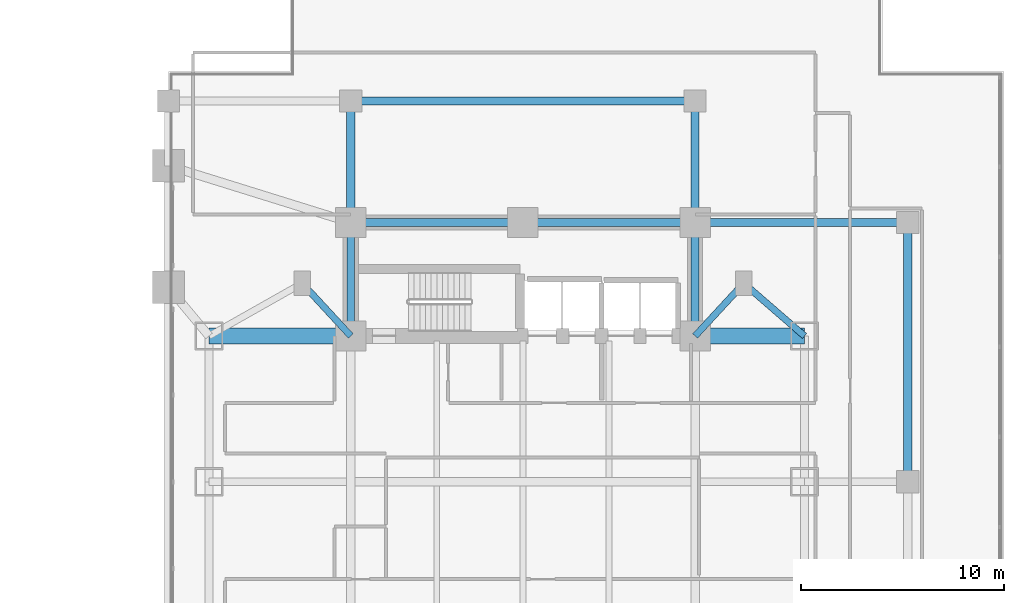
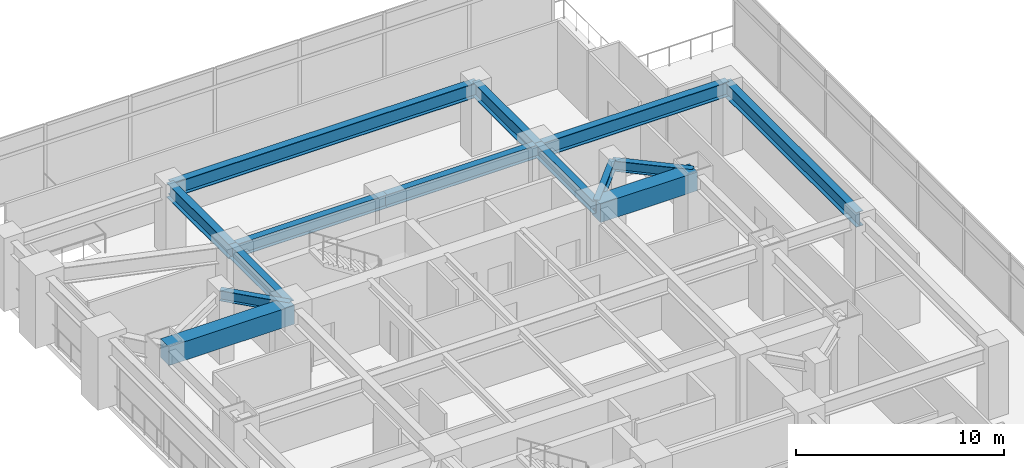
# One storey, part 12 of 31: 14 beams.
"""IFC4 building model written with IfcOpenShell, lengths in metres."""

from ifc_helpers import new_model, si_unit, direction, frame, origin, origin_2d, place, context, subcontext, project, spatial, rectangle, i_section, extrude, material, material_profile, profile_set, type_object, element, save


model = new_model("IFC4")

# Units and contexts
model_context = context("Model", 3, precision=1e-05, world=origin(), true_north=direction((0.0, 1.0)))
body_context = subcontext(model_context, "Body", "Model", "MODEL_VIEW")
ifc_project = project(units=[si_unit("LENGTHUNIT", "METRE"), si_unit("AREAUNIT", "SQUARE_METRE"), si_unit("VOLUMEUNIT", "CUBIC_METRE"), si_unit("PLANEANGLEUNIT", "RADIAN"), si_unit("MASSUNIT", "GRAM", prefix="KILO")], contexts=[model_context])

# Site, building, storey
site_placement = place(None, origin())
site = spatial("IfcSite", under=ifc_project, at=site_placement, CompositionType="ELEMENT")
building_placement = place(site_placement, origin())
building = spatial("IfcBuilding", under=site, at=building_placement, Name="Mirazonda Arch Towers", CompositionType="ELEMENT")
storey_placement = place(building_placement, frame((0.0, 0.0, 5.199951171875)))
storey = spatial("IfcBuildingStorey", under=building, at=storey_placement, Name="L01", CompositionType="ELEMENT", Elevation=5.199951171875)

# Beams
ifc_material_1 = material(Name="Steel ASTM A992 Grade 50", Category="steel")
ifc_material_profile_1 = material_profile(ifc_material_1, i_section(OverallWidth=0.39990234375, OverallDepth=0.85595703125, WebThickness=0.018310546875, FlangeThickness=0.029296875, at=origin_2d()), Name="W33X201")
ifc_profile_set_1 = profile_set([ifc_material_profile_1], Name="Steel ASTM A992 Grade 50")
beam_type_1 = type_object("IfcBeamType", Name="BM-EXT-W33X201", PredefinedType="USERDEFINED", material=ifc_profile_set_1)
beam_1_placement = place(storey_placement, frame((68.0, 46.800048828125, 3.552001953125), z_axis=(1.0, 0.0, 0.0), x_axis=(0.0, 1.0, 0.0)))
element("IfcBeam", 1, at=beam_1_placement, inside=storey, type_object=beam_type_1, Name="L01 Floor Beam BM-POD-L01-PN-5", ObjectType="GIRDER", PredefinedType="USERDEFINED", context=body_context, shape_type="SweptSolid", body=[
    extrude(i_section(OverallWidth=0.39990234375, OverallDepth=0.85595703125, WebThickness=0.018310546875, FlangeThickness=0.029296875, at=origin_2d()), origin(), (0.0, 0.0, 1.0), 17.0),
])
beam_2_placement = place(storey_placement, frame((95.5, 28.0, 3.552001953125), z_axis=(0.0, 1.0, 0.0), x_axis=(-1.0, 0.0, 0.0)))
element("IfcBeam", 2, at=beam_2_placement, inside=storey, type_object=beam_type_1, Name="L01 Floor Beam BM-POD-L01-PE-2", ObjectType="GIRDER", PredefinedType="USERDEFINED", context=body_context, shape_type="SweptSolid", body=[
    extrude(i_section(OverallWidth=0.39990234375, OverallDepth=0.85595703125, WebThickness=0.018310546875, FlangeThickness=0.029296875, at=origin_2d()), origin(), (0.0, 0.0, 1.0), 12.800048828125),
])
ifc_material_profile_2 = material_profile(ifc_material_1, i_section(OverallWidth=0.324951171875, OverallDepth=0.615966796875, WebThickness=0.013916015625, FlangeThickness=0.021484375, at=origin_2d()), Name="W24X117")
ifc_profile_set_2 = profile_set([ifc_material_profile_2], Name="Steel ASTM A992 Grade 50")
beam_type_2 = type_object("IfcBeamType", Name="BM-INT-W24X117", PredefinedType="BEAM", material=ifc_profile_set_2)
for number, where, z_axis, x_axis, name in (
    (3, (65.60009765625, 37.800048828125, 3.672119140625), (0.678251444854, -0.734829897019, 0.0), (0.734829897019, 0.678251444854, 0.0), "L01 Floor Beam BM-T2-L01-PL-NW1"),
    (4, (87.39990234375, 37.800048828125, 3.672119140625), (-0.678251444854, -0.734829897019, 0.0), (0.734829897019, -0.678251444854, 0.0), "L01 Floor Beam BM-T2-L01-PL-NE1"),
):
    element("IfcBeam", number, at=place(storey_placement, frame(where, z_axis=z_axis, x_axis=x_axis)), inside=storey, type_object=beam_type_2, Name=name, PredefinedType="BEAM", context=body_context, shape_type="SweptSolid", body=[
        extrude(i_section(OverallWidth=0.324951171875, OverallDepth=0.615966796875, WebThickness=0.013916015625, FlangeThickness=0.021484375, at=origin_2d()), origin(), (0.0, 0.0, 1.0), 3.538330078125),
    ])
beam_3_placement = place(storey_placement, frame((87.39990234375, 37.800048828125, 3.672119140625), z_axis=(0.755676908098, -0.654944585876, 0.0), x_axis=(0.654944585876, 0.755676908098, 0.0)))
element("IfcBeam", 5, at=beam_3_placement, inside=storey, type_object=beam_type_2, Name="L01 Floor Beam BM-T2-L01-PL-NE2", PredefinedType="BEAM", context=body_context, shape_type="SweptSolid", body=[
    extrude(i_section(OverallWidth=0.324951171875, OverallDepth=0.615966796875, WebThickness=0.013916015625, FlangeThickness=0.021484375, at=origin_2d()), origin(), (0.0, 0.0, 1.0), 3.969970703125),
])
ifc_material_profile_3 = material_profile(ifc_material_1, i_section(OverallWidth=0.381103515625, OverallDepth=0.77294921875, WebThickness=0.0166015625, FlangeThickness=0.027099609375, at=origin_2d()), Name="W30X173")
ifc_profile_set_3 = profile_set([ifc_material_profile_3], Name="Steel ASTM A992 Grade 50")
beam_type_3 = type_object("IfcBeamType", Name="BM-INT-W30X173", PredefinedType="USERDEFINED", material=ifc_profile_set_3)
for number, where, z_axis, x_axis, name in (
    (6, (68.0, 40.800048828125, 3.593505859375), (1.0, 0.0, 0.0), (0.0, 1.0, 0.0), "L01 Floor Beam BM-T2-L01-CN1"),
    (7, (76.5, 40.800048828125, 3.593505859375), (1.0, 0.0, 0.0), (0.0, 1.0, 0.0), "L01 Floor Beam BM-T2-L01-CN2"),
):
    element("IfcBeam", number, at=place(storey_placement, frame(where, z_axis=z_axis, x_axis=x_axis)), inside=storey, type_object=beam_type_3, Name=name, ObjectType="GIRDER", PredefinedType="USERDEFINED", context=body_context, shape_type="SweptSolid", body=[
        extrude(i_section(OverallWidth=0.381103515625, OverallDepth=0.77294921875, WebThickness=0.0166015625, FlangeThickness=0.027099609375, at=origin_2d()), origin(), (0.0, 0.0, 1.0), 8.5),
    ])
for number, where, z_axis, x_axis, name in (
    (8, (68.0, 35.199951171875, 3.593505859375), (0.0, 1.0, 0.0), (-1.0, 0.0, 0.0), "L01 Floor Beam BM-T2-L01-CNW"),
    (9, (85.0, 35.199951171875, 3.593505859375), (0.0, 1.0, 0.0), (-1.0, 0.0, 0.0), "L01 Floor Beam BM-T2-L01-CNE"),
):
    element("IfcBeam", number, at=place(storey_placement, frame(where, z_axis=z_axis, x_axis=x_axis)), inside=storey, type_object=beam_type_3, Name=name, ObjectType="GIRDER", PredefinedType="USERDEFINED", context=body_context, shape_type="SweptSolid", body=[
        extrude(i_section(OverallWidth=0.381103515625, OverallDepth=0.77294921875, WebThickness=0.0166015625, FlangeThickness=0.027099609375, at=origin_2d()), origin(), (0.0, 0.0, 1.0), 5.60009765625),
    ])
ifc_material_profile_4 = material_profile(ifc_material_1, i_section(OverallWidth=0.39990234375, OverallDepth=0.85595703125, WebThickness=0.018310546875, FlangeThickness=0.029296875, at=origin_2d()), Name="W33X201")
ifc_profile_set_4 = profile_set([ifc_material_profile_4], Name="Steel ASTM A992 Grade 50")
beam_type_4 = type_object("IfcBeamType", Name="BM-INT-W33X201", PredefinedType="USERDEFINED", material=ifc_profile_set_4)
for number, where, z_axis, x_axis, name in (
    (10, (68.0, 40.800048828125, 3.552001953125), (0.0, 1.0, 0.0), (-1.0, 0.0, 0.0), "L01 Floor Beam BM-POD-L01-PCN-6"),
    (11, (85.0, 40.800048828125, 3.552001953125), (0.0, 1.0, 0.0), (-1.0, 0.0, 0.0), "L01 Floor Beam BM-POD-L01-PCN-7"),
):
    element("IfcBeam", number, at=place(storey_placement, frame(where, z_axis=z_axis, x_axis=x_axis)), inside=storey, type_object=beam_type_4, Name=name, ObjectType="GIRDER", PredefinedType="USERDEFINED", context=body_context, shape_type="SweptSolid", body=[
        extrude(i_section(OverallWidth=0.39990234375, OverallDepth=0.85595703125, WebThickness=0.018310546875, FlangeThickness=0.029296875, at=origin_2d()), origin(), (0.0, 0.0, 1.0), 6.0),
    ])
beam_4_placement = place(storey_placement, frame((85.0, 40.800048828125, 3.552001953125), z_axis=(1.0, 0.0, 0.0), x_axis=(0.0, 1.0, 0.0)))
element("IfcBeam", 12, at=beam_4_placement, inside=storey, type_object=beam_type_4, Name="L01 Floor Beam BM-POD-L01-PCE-3", ObjectType="GIRDER", PredefinedType="USERDEFINED", context=body_context, shape_type="SweptSolid", body=[
    extrude(i_section(OverallWidth=0.39990234375, OverallDepth=0.85595703125, WebThickness=0.018310546875, FlangeThickness=0.029296875, at=origin_2d()), origin(), (0.0, 0.0, 1.0), 10.5),
])
ifc_material_2 = material(Name="Concrete C60/75", Category="concrete")
ifc_material_profile_5 = material_profile(ifc_material_2, rectangle(XDim=0.800048828125, YDim=1.10009765625, at=origin_2d()), Name="RCCB800x1100")
ifc_profile_set_5 = profile_set([ifc_material_profile_5], Name="Concrete C60/75")
beam_type_5 = type_object("IfcBeamType", Name="CB-INT-RCCB800x1100", PredefinedType="SPANDREL", material=ifc_profile_set_5)
beam_5_placement = place(storey_placement, frame((61.0, 35.199951171875, 3.429931640625), z_axis=(1.0, 0.0, 0.0), x_axis=(0.0, 1.0, 0.0)))
element("IfcBeam", 13, at=beam_5_placement, inside=storey, type_object=beam_type_5, Name="L01 Floor Beam CB-T2-L01-NW", PredefinedType="SPANDREL", context=body_context, shape_type="SweptSolid", body=[
    extrude(rectangle(XDim=0.800048828125, YDim=1.10009765625, at=origin_2d()), origin(), (0.0, 0.0, 1.0), 7.0),
])
beam_6_placement = place(storey_placement, frame((85.0, 35.199951171875, 3.429931640625), z_axis=(1.0, 0.0, 0.0), x_axis=(0.0, 1.0, 0.0)))
element("IfcBeam", 14, at=beam_6_placement, inside=storey, type_object=beam_type_5, Name="L01 Floor Beam CB-T2-L01-NE", PredefinedType="SPANDREL", context=body_context, shape_type="SweptSolid", body=[
    extrude(rectangle(XDim=0.800048828125, YDim=1.10009765625, at=origin_2d()), origin(), (0.0, 0.0, 1.0), 5.39990234375),
])

save(model, "model.ifc")
